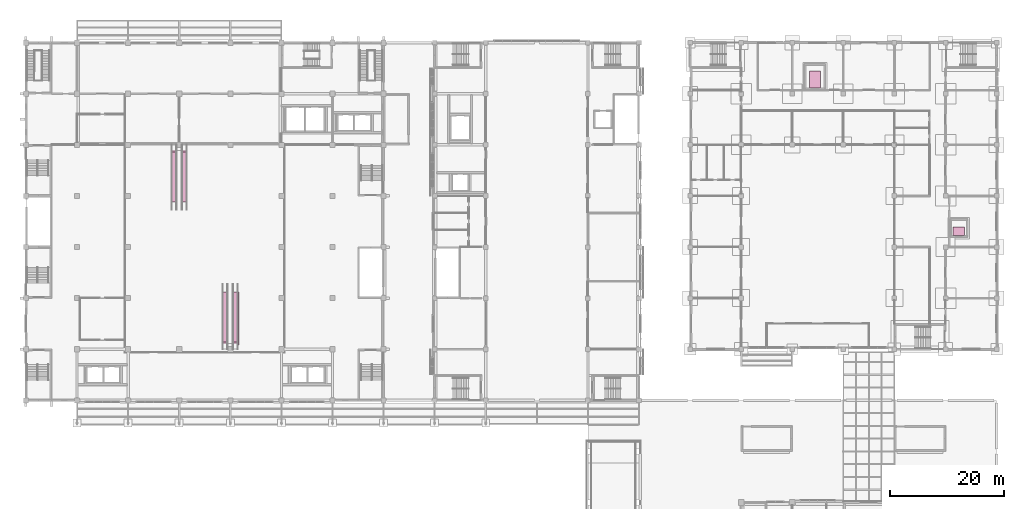
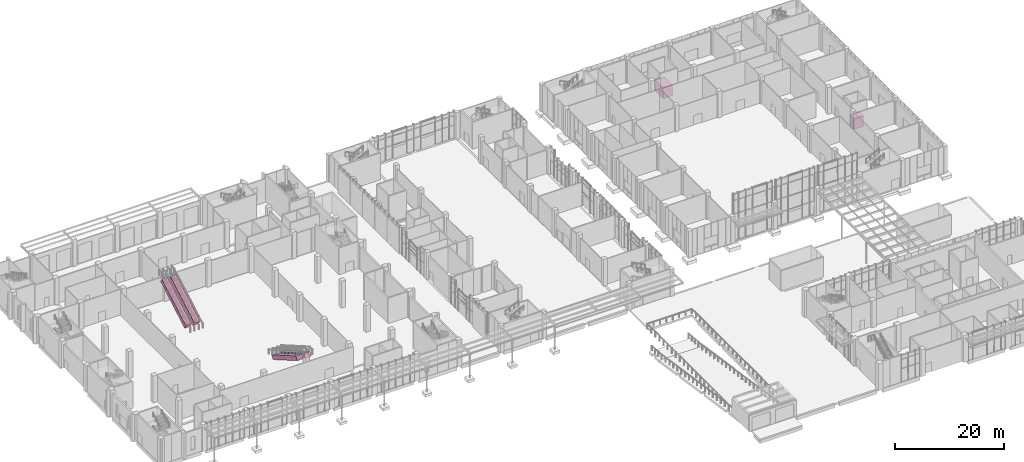
# One storey, part 86 of 86: 6 transport elements.
"""IFC4 building model written with IfcOpenShell, lengths in metres."""

import ifcopenshell
import ifcopenshell.guid

model = None  # the IFC model being written
_history = None  # IfcOwnerHistory: only IFC2X3 demands one
_inside = {}  # id of a spatial element -> (the spatial element, [elements in it])
_under = {}  # id of a project, library or spatial element -> (it, [spatial elements below it])
_declared = {}  # id of a project -> (the project, [libraries it declares])
_typed = {}  # id of a type object -> (the type object, [elements of that type])
_made_of = {}  # id of a material, layer set ... -> (it, [elements and type objects made of it])


def new_model(schema):
    """Start an empty IFC model of exactly this schema.

    Asked for "IFC4X3", IfcOpenShell would pick the latest addendum, in which some entities
    have other attributes; the version numbers below select the first issue.
    IFC2X3 requires an IfcOwnerHistory on every rooted entity: one is made here for all.
    """
    global model, _history
    if schema == "IFC4X3":
        model = ifcopenshell.file(schema_version=(4, 3, 0, 0))
    else:
        model = ifcopenshell.file(schema=schema)
    _inside.clear()
    _under.clear()
    _declared.clear()
    _typed.clear()
    _made_of.clear()
    _history = None
    if model.schema == "IFC2X3":
        org = make("IfcOrganization", Name="unknown")
        user = make(
            "IfcPersonAndOrganization",
            ThePerson=make("IfcPerson", FamilyName="unknown"),
            TheOrganization=org,
        )
        app = make(
            "IfcApplication",
            ApplicationDeveloper=org,
            Version="unknown",
            ApplicationFullName="unknown",
            ApplicationIdentifier="unknown",
        )
        _history = make(
            "IfcOwnerHistory",
            OwningUser=user,
            OwningApplication=app,
            ChangeAction="ADDED",
            CreationDate=0,
        )
    return model


def make(cls, **values):
    """One entity of the class cls with the attributes given. An attribute that is None is left unset."""
    return model.create_entity(
        cls, **{name: value for name, value in values.items() if value is not None}
    )


def rooted(cls, **values):
    """An entity with a GlobalId (a new one), such as an element, a storey or a relation."""
    return make(cls, GlobalId=ifcopenshell.guid.new(), OwnerHistory=_history, **values)


def si_unit(unit_type, name, prefix=None):
    """IfcSIUnit, for example si_unit("LENGTHUNIT", "METRE", prefix="MILLI")."""
    return make("IfcSIUnit", UnitType=unit_type, Prefix=prefix, Name=name)


def assignment(units):
    """IfcUnitAssignment: the units of a project."""
    return None if units is None else make("IfcUnitAssignment", Units=units)


def point(xyz):
    """IfcCartesianPoint."""
    return None if xyz is None else make("IfcCartesianPoint", Coordinates=xyz)


def direction(xyz):
    """IfcDirection."""
    return None if xyz is None else make("IfcDirection", DirectionRatios=xyz)


def frame(location, z_axis=None, x_axis=None):
    """IfcAxis2Placement3D, a coordinate frame: its origin and axes. An axis left out is left unset."""
    return make(
        "IfcAxis2Placement3D",
        Location=point(location),
        Axis=direction(z_axis),
        RefDirection=direction(x_axis),
    )


def frame_2d(location, x_axis=None):
    """IfcAxis2Placement2D, a coordinate frame in the plane: its origin and x axis."""
    return make(
        "IfcAxis2Placement2D", Location=point(location), RefDirection=direction(x_axis)
    )


def origin():
    """The frame at (0, 0, 0) with its axes left unset."""
    return frame((0.0, 0.0, 0.0))


def origin_2d():
    """The frame at (0, 0) in the plane with its x axis left unset."""
    return frame_2d((0.0, 0.0))


def place(relative_to, where):
    """IfcLocalPlacement: puts the frame where relative to a parent placement (None: the world)."""
    return make(
        "IfcLocalPlacement", PlacementRelTo=relative_to, RelativePlacement=where
    )


def context(
    kind, dimensions, precision=None, world=None, true_north=None, identifier=None
):
    """IfcGeometricRepresentationContext, for example the 3D "Model" context."""
    return make(
        "IfcGeometricRepresentationContext",
        ContextIdentifier=identifier,
        ContextType=kind,
        CoordinateSpaceDimension=dimensions,
        Precision=precision,
        WorldCoordinateSystem=world,
        TrueNorth=true_north,
    )


def subcontext(parent, identifier, kind, view, scale=None):
    """IfcGeometricRepresentationSubContext, for example "Body" below "Model"."""
    return make(
        "IfcGeometricRepresentationSubContext",
        ContextIdentifier=identifier,
        ContextType=kind,
        ParentContext=parent,
        TargetScale=scale,
        TargetView=view,
    )


def project(units=None, contexts=None):
    """IfcProject with its units and contexts."""
    return rooted(
        "IfcProject",
        Name="project",
        RepresentationContexts=contexts,
        UnitsInContext=assignment(units),
    )


def spatial(cls, under=None, at=None, **own):
    """A site, building, storey or space (cls), placed at a placement, below another one or the project."""
    s = rooted(cls, ObjectPlacement=at, **own)
    if under is not None:
        _under.setdefault(under.id(), (under, []))[1].append(s)
    return s


def profile(cls, at=None, kind="AREA", **sizes):
    """A parametric profile (cls). Its sizes go by their IFC names, for example OverallWidth=200.0."""
    return make(cls, ProfileType=kind, Position=at, **sizes)


def rectangle(**sizes):
    """IfcRectangleProfileDef."""
    return profile("IfcRectangleProfileDef", **sizes)


def extrude(swept, where, along, depth):
    """IfcExtrudedAreaSolid: the profile swept, set in the frame where, extruded along a direction by depth."""
    return make(
        "IfcExtrudedAreaSolid",
        SweptArea=swept,
        Position=where,
        ExtrudedDirection=direction(along),
        Depth=depth,
    )


def shape(context_of_items, identifier, shape_type, items):
    """IfcShapeRepresentation: the items that make up one representation, for example the "Body"."""
    return make(
        "IfcShapeRepresentation",
        ContextOfItems=context_of_items,
        RepresentationIdentifier=identifier,
        RepresentationType=shape_type,
        Items=items,
    )


def material(Name=None, Category=None):
    """IfcMaterial."""
    return make("IfcMaterial", Name=Name, Category=Category)


def material_profile(
    of_material, cross_section, Name=None, Category=None, Priority=None
):
    """IfcMaterialProfile: a cross section and its material."""
    return make(
        "IfcMaterialProfile",
        Name=Name,
        Material=of_material,
        Profile=cross_section,
        Priority=Priority,
        Category=Category,
    )


def profile_set(profiles, Name=None, composite=None):
    """IfcMaterialProfileSet."""
    return make(
        "IfcMaterialProfileSet",
        Name=Name,
        MaterialProfiles=profiles,
        CompositeProfile=composite,
    )


def made_of(thing, what):
    """Note that an element or type object is made of a material, layer set ...; save() writes the relation."""
    if what is not None:
        _made_of.setdefault(what.id(), (what, []))[1].append(thing)
    return thing


def type_object(cls, material=None, **own):
    """A type object (cls), such as IfcWallType, which elements share."""
    return made_of(rooted(cls, **own), material)


def element(
    cls,
    number,
    at=None,
    inside=None,
    cuts=None,
    type_object=None,
    material=None,
    context=None,
    identifier="Body",
    shape_type=None,
    held_by="IfcProductDefinitionShape",
    body=None,
    shapes=None,
    **own,
):
    """One element of the class cls, such as IfcWall. Its Tag is "e" and its number.

    at: its placement. inside: the storey or other place that contains it. cuts: it is an
    opening in that element (IfcRelVoidsElement). A single representation is given by context,
    identifier, shape_type and body (its items); several are given by shapes. held_by: the class
    of the entity that holds the representations. save() writes the other relations.
    """
    e = rooted(cls, Tag="e%d" % number, ObjectPlacement=at, **own)
    if body is not None:
        shapes = [shape(context, identifier, shape_type, body)]
    if shapes is not None:
        e.Representation = make(held_by, Representations=shapes)
    if inside is not None:
        _inside.setdefault(inside.id(), (inside, []))[1].append(e)
    if cuts is not None:
        rooted(
            "IfcRelVoidsElement", RelatingBuildingElement=cuts, RelatedOpeningElement=e
        )
    if type_object is not None:
        _typed.setdefault(type_object.id(), (type_object, []))[1].append(e)
    return made_of(e, material)


def aggregate(whole, parts):
    """IfcRelAggregates: a whole, such as a stair, and the parts it consists of."""
    return rooted("IfcRelAggregates", RelatingObject=whole, RelatedObjects=parts)


def save(model, path):
    """Write the relations noted so far, then the file.

    IfcRelAggregates (storeys below a building ...), IfcRelContainedInSpatialStructure (elements
    in a storey), IfcRelDefinesByType, IfcRelAssociatesMaterial and IfcRelDeclares: one each for
    every whole, place, type object, material and project.
    """
    for whole, parts in _under.values():
        aggregate(whole, parts)
    for where, things in _inside.values():
        rooted(
            "IfcRelContainedInSpatialStructure",
            RelatedElements=things,
            RelatingStructure=where,
        )
    for kind, things in _typed.values():
        rooted("IfcRelDefinesByType", RelatedObjects=things, RelatingType=kind)
    for what, things in _made_of.values():
        rooted("IfcRelAssociatesMaterial", RelatedObjects=things, RelatingMaterial=what)
    for by, libraries in _declared.values():
        rooted("IfcRelDeclares", RelatingContext=by, RelatedDefinitions=libraries)
    model.write(path)


model = new_model("IFC4")

# Units and contexts
model_context = context("Model", 3, precision=1e-05, world=origin(), true_north=direction((0.0, 1.0)))
body_context = subcontext(model_context, "Body", "Model", "MODEL_VIEW")
ifc_project = project(units=[si_unit("LENGTHUNIT", "METRE"), si_unit("AREAUNIT", "SQUARE_METRE"), si_unit("VOLUMEUNIT", "CUBIC_METRE"), si_unit("PLANEANGLEUNIT", "RADIAN"), si_unit("MASSUNIT", "GRAM", prefix="KILO")], contexts=[model_context])

# Site, building, storey
site_placement = place(None, origin())
site = spatial("IfcSite", under=ifc_project, at=site_placement, CompositionType="ELEMENT")
building_placement = place(site_placement, origin())
building = spatial("IfcBuilding", under=site, at=building_placement, Name="Guidao Yard Department Store", CompositionType="ELEMENT")
storey_placement = place(building_placement, origin())
storey = spatial("IfcBuildingStorey", under=building, at=storey_placement, Name="L00", CompositionType="ELEMENT", Elevation=0.0)

# Transport elements
ifc_material_1 = material(Name="Steel Q235", Category="steel")
ifc_material_profile = material_profile(ifc_material_1, rectangle(XDim=1.199951171875, YDim=0.89990234375, at=origin_2d()), Name="Escalator 800 step 30 degrees")
ifc_profile_set = profile_set([ifc_material_profile], Name="Steel Q235")
transport_element_type_1 = type_object("IfcTransportElementType", Name="Escalator 800 step 30 degrees", PredefinedType="ESCALATOR", material=ifc_profile_set)
for number, where, z_axis, x_axis, name in (
    (1, (26.10009765625, 80.175048828125, 0.3896484375), (0.0, 0.866009076391, 0.500028278809), (-1.0, 0.0, 0.0), "Escalator EH1 up"),
    (2, (27.89990234375, 80.175048828125, 0.3896484375), (0.0, 0.866009076391, 0.500028278809), (-1.0, 0.0, 0.0), "Escalator EH1 down"),
    (3, (35.10009765625, 63.824951171875, 0.3896484375), (0.0, -0.866009076391, 0.500028278809), (1.0, 0.0, 0.0), "Escalator EH2 up"),
    (4, (36.89990234375, 63.824951171875, 0.3896484375), (0.0, -0.866009076391, 0.500028278809), (1.0, 0.0, 0.0), "Escalator EH2 down"),
):
    element("IfcTransportElement", number, at=place(storey_placement, frame(where, z_axis=z_axis, x_axis=x_axis)), inside=storey, type_object=transport_element_type_1, Name=name, PredefinedType="ESCALATOR", context=body_context, shape_type="SweptSolid", body=[
        extrude(rectangle(XDim=1.199951171875, YDim=0.89990234375, at=origin_2d()), origin(), (0.0, 0.0, 1.0), 10.18115234375),
    ])
ifc_material_2 = material(Name="Stainless steel 06Cr19Ni10", Category="steel")
transport_element_type_2 = type_object("IfcTransportElementType", Name="Lift goods 3000 kg", PredefinedType="ELEVATOR", material=ifc_material_2)
transport_element_1_placement = place(storey_placement, frame((139.0, 101.5, 0.0), z_axis=(0.0, 0.0, 1.0), x_axis=(1.0, 0.0, 0.0)))
element("IfcTransportElement", 5, at=transport_element_1_placement, inside=storey, type_object=transport_element_type_2, Name="Food hall goods lift", PredefinedType="ELEVATOR", context=body_context, shape_type="SweptSolid", body=[
    extrude(rectangle(XDim=2.0, YDim=3.0, at=origin_2d()), origin(), (0.0, 0.0, 1.0), 2.39990234375),
])
ifc_material_3 = material(Name="Stainless steel 06Cr19Ni10", Category="steel")
transport_element_type_3 = type_object("IfcTransportElementType", Name="Lift passenger 1350 kg", PredefinedType="ELEVATOR", material=ifc_material_3)
transport_element_2_placement = place(storey_placement, frame((164.35009765625, 74.75, 0.0), z_axis=(0.0, 0.0, 1.0), x_axis=(1.0, 0.0, 0.0)))
element("IfcTransportElement", 6, at=transport_element_2_placement, inside=storey, type_object=transport_element_type_3, Name="Food hall lift", PredefinedType="ELEVATOR", context=body_context, shape_type="SweptSolid", body=[
    extrude(rectangle(XDim=2.0, YDim=1.5, at=origin_2d()), origin(), (0.0, 0.0, 1.0), 2.39990234375),
])

save(model, "model.ifc")
